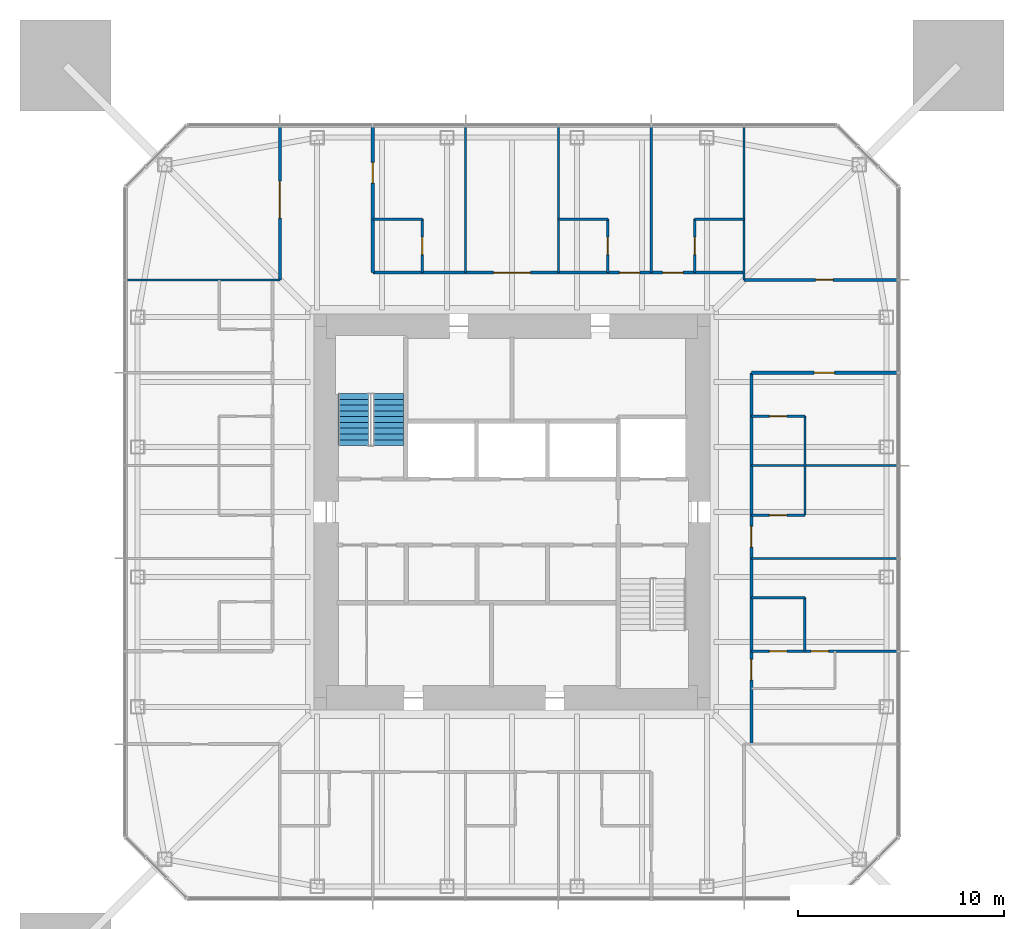
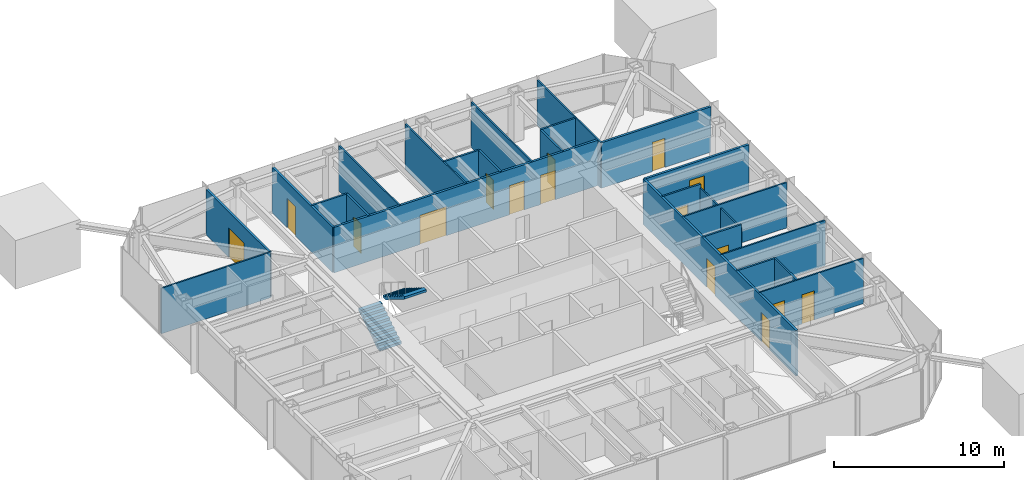
# One storey, part 8 of 12: 25 walls, 16 doors, 2 stair flights, 16 openings, 1 element without a shape of its own.
"""IFC4 building model written with IfcOpenShell, lengths in metres."""

from ifc_helpers import new_model, si_unit, direction, frame, frame_2d, origin, place, context, subcontext, project, spatial, polyline, rectangle, outline, extrude, material, layer, layer_set, constituent, constituent_set, type_object, element, fill, aggregate, save


model = new_model("IFC4")

# Units and contexts
model_context = context("Model", 3, precision=1e-05, world=origin(), true_north=direction((0.0, 1.0)))
body_context = subcontext(model_context, "Body", "Model", "MODEL_VIEW")
ifc_project = project(units=[si_unit("LENGTHUNIT", "METRE"), si_unit("AREAUNIT", "SQUARE_METRE"), si_unit("VOLUMEUNIT", "CUBIC_METRE"), si_unit("PLANEANGLEUNIT", "RADIAN"), si_unit("MASSUNIT", "GRAM", prefix="KILO")], contexts=[model_context])

# Site, building, storey
site_placement = place(None, origin())
site = spatial("IfcSite", under=ifc_project, at=site_placement, CompositionType="ELEMENT")
building_placement = place(site_placement, origin())
building = spatial("IfcBuilding", under=site, at=building_placement, Name="Iwan Alto Co-Living Towers", CompositionType="ELEMENT")
storey_placement = place(building_placement, frame((0.0, 0.0, 153.0)))
storey = spatial("IfcBuildingStorey", under=building, at=storey_placement, Name="L41", CompositionType="ELEMENT", Elevation=153.0)

# Wall, opening, door
ifc_material_1 = material(Name="Gypsum board")
ifc_layer_1 = layer(ifc_material_1, 0.02490234375, Name="Board", Category="Finish")
ifc_material_2 = material(Name="Steel ASTM A1003 ST33H cold-formed studs", Category="steel")
ifc_layer_2 = layer(ifc_material_2, 0.10009765625, Name="Studs", Category="Framing")
ifc_layer_3 = layer(ifc_material_1, 0.02490234375, Name="Board", Category="Finish")
ifc_layer_set_1 = layer_set([ifc_layer_1, ifc_layer_2, ifc_layer_3], Name="CORRIDOR WALL 150")
wall_type_1 = type_object("IfcWallType", Name="CORRIDOR WALL 150", PredefinedType="PARTITIONING", material=ifc_layer_set_1)
wall_1_placement = place(storey_placement, frame((11.60009765625, 6.75, 0.0), z_axis=(0.0, 0.0, 1.0), x_axis=(1.0, 0.0, 0.0)))
wall_1 = element("IfcWall", 1, at=wall_1_placement, inside=storey, type_object=wall_type_1, Name="Partition L41", PredefinedType="PARTITIONING", context=body_context, shape_type="SweptSolid", body=[
    extrude(rectangle(XDim=7.08984375, YDim=0.14990234375, at=frame_2d((3.544921875, 0.0))), origin(), (0.0, 0.0, 1.0), 3.27001953125),
])
opening_1_placement = place(wall_1_placement, frame((3.044921875, 0.0, 0.0)))
opening_1 = element("IfcOpeningElement", 2, at=opening_1_placement, cuts=wall_1, Name="Opening D3", PredefinedType="OPENING", context=body_context, shape_type="SweptSolid", body=[
    extrude(rectangle(XDim=1.0, YDim=2.10009765625, at=frame_2d((0.5, 1.050048828125))), frame((0.0, 0.0849609375, 0.0), z_axis=(0.0, -1.0, 0.0), x_axis=(1.0, 0.0, 0.0)), (0.0, 0.0, 1.0), 0.169921875),
])
ifc_material_3 = material(Name="Steel frame with timber leaf", Category="steel")
door_type_1 = type_object("IfcDoorType", Name="FLAT ENTRANCE DOOR FD30S 1000X2100", OperationType="SINGLE_SWING_LEFT", PredefinedType="DOOR", material=ifc_material_3)
door_1_placement = place(opening_1_placement, frame((1.0, 0.0, 0.0), z_axis=(0.0, 0.0, 1.0), x_axis=(-1.0, 0.0, 0.0)))
door_1 = element("IfcDoor", 3, at=door_1_placement, inside=storey, type_object=door_type_1, Name="Studio door L41", OperationType="SINGLE_SWING_RIGHT", OverallHeight=2.10009765625, OverallWidth=1.0, PredefinedType="DOOR", context=body_context, shape_type="SweptSolid", body=[
    extrude(rectangle(XDim=1.0, YDim=2.10009765625, at=frame_2d((0.5, 1.050048828125))), frame((0.0, 0.02490234375, 0.0), z_axis=(0.0, -1.0, 0.0), x_axis=(1.0, 0.0, 0.0)), (0.0, 0.0, 1.0), 0.050048828125),
])
fill(opening_1, door_1)

wall_2_placement = place(storey_placement, frame((11.25, 11.25, 0.0), z_axis=(0.0, 0.0, 1.0), x_axis=(1.0, 0.0, 0.0)))
wall_2 = element("IfcWall", 4, at=wall_2_placement, inside=storey, type_object=wall_type_1, Name="Partition L41", PredefinedType="PARTITIONING", context=body_context, shape_type="SweptSolid", body=[
    extrude(rectangle(XDim=7.43994140625, YDim=0.14990234375, at=frame_2d((3.719970703125, 0.0))), origin(), (0.0, 0.0, 1.0), 3.27001953125),
])
opening_2_placement = place(wall_2_placement, frame((3.469970703125, 0.0, 0.0)))
opening_2 = element("IfcOpeningElement", 5, at=opening_2_placement, cuts=wall_2, Name="Opening D2", PredefinedType="OPENING", context=body_context, shape_type="SweptSolid", body=[
    extrude(rectangle(XDim=0.85009765625, YDim=2.10009765625, at=frame_2d((0.425048828125, 1.050048828125))), frame((0.0, 0.0849609375, 0.0), z_axis=(0.0, -1.0, 0.0), x_axis=(1.0, 0.0, 0.0)), (0.0, 0.0, 1.0), 0.169921875),
])
ifc_material_4 = material(Name="Timber leaf in steel frame", Category="steel")
door_type_2 = type_object("IfcDoorType", Name="ROOM DOOR 850X2100", OperationType="SINGLE_SWING_LEFT", PredefinedType="DOOR", material=ifc_material_4)
door_2_placement = place(opening_2_placement, origin())
door_2 = element("IfcDoor", 6, at=door_2_placement, inside=storey, type_object=door_type_2, Name="Shared kitchen and lounge door L41", OperationType="SINGLE_SWING_RIGHT", OverallHeight=2.10009765625, OverallWidth=0.85009765625, PredefinedType="DOOR", context=body_context, shape_type="SweptSolid", body=[
    extrude(rectangle(XDim=0.85009765625, YDim=2.10009765625, at=frame_2d((0.425048828125, 1.050048828125))), frame((0.0, 0.02490234375, 0.0), z_axis=(0.0, -1.0, 0.0), x_axis=(1.0, 0.0, 0.0)), (0.0, 0.0, 1.0), 0.050048828125),
])
fill(opening_2, door_2)

# Wall, openings, doors
wall_3_placement = place(storey_placement, frame((-6.75, 11.60009765625, 0.0), z_axis=(0.0, 0.0, 1.0), x_axis=(1.0, 0.0, 0.0)))
wall_3 = element("IfcWall", 7, at=wall_3_placement, inside=storey, type_object=wall_type_1, Name="Partition L41", PredefinedType="PARTITIONING", context=body_context, shape_type="SweptSolid", body=[
    extrude(rectangle(XDim=18.0, YDim=0.14990234375, at=frame_2d((9.0, 0.0))), origin(), (0.0, 0.0, 1.0), 3.27001953125),
])
opening_3_placement = place(wall_3_placement, frame((14.050048828125, 0.0, 0.0)))
opening_3 = element("IfcOpeningElement", 8, at=opening_3_placement, cuts=wall_3, Name="Opening D3", PredefinedType="OPENING", context=body_context, shape_type="SweptSolid", body=[
    extrude(rectangle(XDim=1.0, YDim=2.10009765625, at=frame_2d((0.5, 1.050048828125))), frame((0.0, 0.0849609375, 0.0), z_axis=(0.0, -1.0, 0.0), x_axis=(1.0, 0.0, 0.0)), (0.0, 0.0, 1.0), 0.169921875),
])
opening_4_placement = place(wall_3_placement, frame((11.949951171875, 0.0, 0.0)))
opening_4 = element("IfcOpeningElement", 9, at=opening_4_placement, cuts=wall_3, Name="Opening D3", PredefinedType="OPENING", context=body_context, shape_type="SweptSolid", body=[
    extrude(rectangle(XDim=1.0, YDim=2.10009765625, at=frame_2d((0.5, 1.050048828125))), frame((0.0, 0.0849609375, 0.0), z_axis=(0.0, -1.0, 0.0), x_axis=(1.0, 0.0, 0.0)), (0.0, 0.0, 1.0), 0.169921875),
])
opening_5_placement = place(wall_3_placement, frame((5.85009765625, 0.0, 0.0)))
opening_5 = element("IfcOpeningElement", 10, at=opening_5_placement, cuts=wall_3, Name="Opening D9", PredefinedType="OPENING", context=body_context, shape_type="SweptSolid", body=[
    extrude(rectangle(XDim=1.800048828125, YDim=2.10009765625, at=frame_2d((0.89990234375, 1.050048828125))), frame((0.0, 0.0849609375, 0.0), z_axis=(0.0, -1.0, 0.0), x_axis=(1.0, 0.0, 0.0)), (0.0, 0.0, 1.0), 0.169921875),
])
door_3_placement = place(opening_3_placement, origin())
door_3 = element("IfcDoor", 11, at=door_3_placement, inside=storey, type_object=door_type_1, Name="Studio door L41", OperationType="SINGLE_SWING_LEFT", OverallHeight=2.10009765625, OverallWidth=1.0, PredefinedType="DOOR", context=body_context, shape_type="SweptSolid", body=[
    extrude(rectangle(XDim=1.0, YDim=2.10009765625, at=frame_2d((0.5, 1.050048828125))), frame((0.0, 0.02490234375, 0.0), z_axis=(0.0, -1.0, 0.0), x_axis=(1.0, 0.0, 0.0)), (0.0, 0.0, 1.0), 0.050048828125),
])
fill(opening_3, door_3)
door_4_placement = place(opening_4_placement, origin())
door_4 = element("IfcDoor", 12, at=door_4_placement, inside=storey, type_object=door_type_1, Name="Studio door L41", OperationType="SINGLE_SWING_LEFT", OverallHeight=2.10009765625, OverallWidth=1.0, PredefinedType="DOOR", context=body_context, shape_type="SweptSolid", body=[
    extrude(rectangle(XDim=1.0, YDim=2.10009765625, at=frame_2d((0.5, 1.050048828125))), frame((0.0, 0.02490234375, 0.0), z_axis=(0.0, -1.0, 0.0), x_axis=(1.0, 0.0, 0.0)), (0.0, 0.0, 1.0), 0.050048828125),
])
fill(opening_4, door_4)
ifc_material_5 = material(Name="Steel frame with timber leaf", Category="steel")
door_type_3 = type_object("IfcDoorType", Name="LOUNGE DOOR FD30S 1800X2100", OperationType="DOUBLE_DOOR_SINGLE_SWING", PredefinedType="DOOR", material=ifc_material_5)
door_5_placement = place(opening_5_placement, origin())
door_5 = element("IfcDoor", 13, at=door_5_placement, inside=storey, type_object=door_type_3, Name="Seminar room door L41", OperationType="DOUBLE_DOOR_SINGLE_SWING", OverallHeight=2.10009765625, OverallWidth=1.800048828125, PredefinedType="DOOR", context=body_context, shape_type="SweptSolid", body=[
    extrude(rectangle(XDim=1.800048828125, YDim=2.10009765625, at=frame_2d((0.89990234375, 1.050048828125))), frame((0.0, 0.02490234375, 0.0), z_axis=(0.0, -1.0, 0.0), x_axis=(1.0, 0.0, 0.0)), (0.0, 0.0, 1.0), 0.050048828125),
])
fill(opening_5, door_5)

wall_4_placement = place(storey_placement, frame((11.60009765625, -11.25, 0.0), z_axis=(0.0, 0.0, 1.0), x_axis=(0.0, 1.0, 0.0)))
wall_4 = element("IfcWall", 14, at=wall_4_placement, inside=storey, type_object=wall_type_1, Name="Partition L41", PredefinedType="PARTITIONING", context=body_context, shape_type="SweptSolid", body=[
    extrude(rectangle(XDim=18.0, YDim=0.14990234375, at=frame_2d((9.0, 0.0))), origin(), (0.0, 0.0, 1.0), 3.27001953125),
])
opening_6_placement = place(wall_4_placement, frame((3.10009765625, 0.0, 0.0)))
opening_6 = element("IfcOpeningElement", 15, at=opening_6_placement, cuts=wall_4, Name="Opening D3", PredefinedType="OPENING", context=body_context, shape_type="SweptSolid", body=[
    extrude(rectangle(XDim=1.0, YDim=2.10009765625, at=frame_2d((0.5, 1.050048828125))), frame((0.0, 0.0849609375, 0.0), z_axis=(0.0, -1.0, 0.0), x_axis=(1.0, 0.0, 0.0)), (0.0, 0.0, 1.0), 0.169921875),
])
opening_7_placement = place(wall_4_placement, frame((9.550048828125, 0.0, 0.0)))
opening_7 = element("IfcOpeningElement", 16, at=opening_7_placement, cuts=wall_4, Name="Opening D3", PredefinedType="OPENING", context=body_context, shape_type="SweptSolid", body=[
    extrude(rectangle(XDim=1.0, YDim=2.10009765625, at=frame_2d((0.5, 1.050048828125))), frame((0.0, 0.0849609375, 0.0), z_axis=(0.0, -1.0, 0.0), x_axis=(1.0, 0.0, 0.0)), (0.0, 0.0, 1.0), 0.169921875),
])
door_6_placement = place(opening_6_placement, frame((1.0, 0.0, 0.0), z_axis=(0.0, 0.0, 1.0), x_axis=(-1.0, 0.0, 0.0)))
door_6 = element("IfcDoor", 17, at=door_6_placement, inside=storey, type_object=door_type_1, Name="Apartment foyer door L41", OperationType="SINGLE_SWING_RIGHT", OverallHeight=2.10009765625, OverallWidth=1.0, PredefinedType="DOOR", context=body_context, shape_type="SweptSolid", body=[
    extrude(rectangle(XDim=1.0, YDim=2.10009765625, at=frame_2d((0.5, 1.050048828125))), frame((0.0, 0.02490234375, 0.0), z_axis=(0.0, -1.0, 0.0), x_axis=(1.0, 0.0, 0.0)), (0.0, 0.0, 1.0), 0.050048828125),
])
fill(opening_6, door_6)
door_7_placement = place(opening_7_placement, frame((1.0, 0.0, 0.0), z_axis=(0.0, 0.0, 1.0), x_axis=(-1.0, 0.0, 0.0)))
door_7 = element("IfcDoor", 18, at=door_7_placement, inside=storey, type_object=door_type_1, Name="Studio door L41", OperationType="SINGLE_SWING_RIGHT", OverallHeight=2.10009765625, OverallWidth=1.0, PredefinedType="DOOR", context=body_context, shape_type="SweptSolid", body=[
    extrude(rectangle(XDim=1.0, YDim=2.10009765625, at=frame_2d((0.5, 1.050048828125))), frame((0.0, 0.02490234375, 0.0), z_axis=(0.0, -1.0, 0.0), x_axis=(1.0, 0.0, 0.0)), (0.0, 0.0, 1.0), 0.050048828125),
])
fill(opening_7, door_7)

# Wall, opening, door
wall_5_placement = place(storey_placement, frame((-6.75, 11.60009765625, 0.0), z_axis=(0.0, 0.0, 1.0), x_axis=(0.0, 1.0, 0.0)))
wall_5 = element("IfcWall", 19, at=wall_5_placement, inside=storey, type_object=wall_type_1, Name="Partition L41", PredefinedType="PARTITIONING", context=body_context, shape_type="SweptSolid", body=[
    extrude(rectangle(XDim=7.08984375, YDim=0.14990234375, at=frame_2d((3.544921875, 0.0))), origin(), (0.0, 0.0, 1.0), 3.27001953125),
])
opening_8_placement = place(wall_5_placement, frame((4.344970703125, 0.0, 0.0)))
opening_8 = element("IfcOpeningElement", 20, at=opening_8_placement, cuts=wall_5, Name="Opening D3", PredefinedType="OPENING", context=body_context, shape_type="SweptSolid", body=[
    extrude(rectangle(XDim=1.0, YDim=2.10009765625, at=frame_2d((0.5, 1.050048828125))), frame((0.0, 0.0849609375, 0.0), z_axis=(0.0, -1.0, 0.0), x_axis=(1.0, 0.0, 0.0)), (0.0, 0.0, 1.0), 0.169921875),
])
door_8_placement = place(opening_8_placement, frame((1.0, 0.0, 0.0), z_axis=(0.0, 0.0, 1.0), x_axis=(-1.0, 0.0, 0.0)))
door_8 = element("IfcDoor", 21, at=door_8_placement, inside=storey, type_object=door_type_1, Name="Studio door L41", OperationType="SINGLE_SWING_RIGHT", OverallHeight=2.10009765625, OverallWidth=1.0, PredefinedType="DOOR", context=body_context, shape_type="SweptSolid", body=[
    extrude(rectangle(XDim=1.0, YDim=2.10009765625, at=frame_2d((0.5, 1.050048828125))), frame((0.0, 0.02490234375, 0.0), z_axis=(0.0, -1.0, 0.0), x_axis=(1.0, 0.0, 0.0)), (0.0, 0.0, 1.0), 0.050048828125),
])
fill(opening_8, door_8)

wall_6_placement = place(storey_placement, frame((-11.25, 11.25, 0.0), z_axis=(0.0, 0.0, 1.0), x_axis=(0.0, 1.0, 0.0)))
wall_6 = element("IfcWall", 22, at=wall_6_placement, inside=storey, type_object=wall_type_1, Name="Partition L41", PredefinedType="PARTITIONING", context=body_context, shape_type="SweptSolid", body=[
    extrude(rectangle(XDim=7.43994140625, YDim=0.14990234375, at=frame_2d((3.719970703125, 0.0))), origin(), (0.0, 0.0, 1.0), 3.27001953125),
])
opening_9_placement = place(wall_6_placement, frame((2.9951171875, 0.0, 0.0)))
opening_9 = element("IfcOpeningElement", 23, at=opening_9_placement, cuts=wall_6, Name="Opening D9", PredefinedType="OPENING", context=body_context, shape_type="SweptSolid", body=[
    extrude(rectangle(XDim=1.800048828125, YDim=2.10009765625, at=frame_2d((0.89990234375, 1.050048828125))), frame((0.0, 0.0849609375, 0.0), z_axis=(0.0, -1.0, 0.0), x_axis=(1.0, 0.0, 0.0)), (0.0, 0.0, 1.0), 0.169921875),
])
door_9_placement = place(opening_9_placement, origin())
door_9 = element("IfcDoor", 24, at=door_9_placement, inside=storey, type_object=door_type_3, Name="Courtyard lounge door L41", OperationType="DOUBLE_DOOR_SINGLE_SWING", OverallHeight=2.10009765625, OverallWidth=1.800048828125, PredefinedType="DOOR", context=body_context, shape_type="SweptSolid", body=[
    extrude(rectangle(XDim=1.800048828125, YDim=2.10009765625, at=frame_2d((0.89990234375, 1.050048828125))), frame((0.0, 0.02490234375, 0.0), z_axis=(0.0, -1.0, 0.0), x_axis=(1.0, 0.0, 0.0)), (0.0, 0.0, 1.0), 0.050048828125),
])
fill(opening_9, door_9)

# Wall, openings, doors
ifc_layer_4 = layer(ifc_material_1, 0.012451171875, Name="Board", Category="Finish")
ifc_layer_5 = layer(ifc_material_2, 0.074951171875, Name="Studs", Category="Framing")
ifc_layer_6 = layer(ifc_material_1, 0.012451171875, Name="Board", Category="Finish")
ifc_layer_set_2 = layer_set([ifc_layer_4, ifc_layer_5, ifc_layer_6], Name="PARTITION 100")
wall_type_2 = type_object("IfcWallType", Name="PARTITION 100", PredefinedType="PARTITIONING", material=ifc_layer_set_2)
wall_7_placement = place(storey_placement, frame((11.60009765625, -6.75, 0.0), z_axis=(0.0, 0.0, 1.0), x_axis=(1.0, 0.0, 0.0)))
wall_7 = element("IfcWall", 25, at=wall_7_placement, inside=storey, type_object=wall_type_2, Name="Partition L41", PredefinedType="PARTITIONING", context=body_context, shape_type="SweptSolid", body=[
    extrude(rectangle(XDim=7.08984375, YDim=0.10009765625, at=frame_2d((3.544921875, 0.0))), origin(), (0.0, 0.0, 1.0), 3.27001953125),
])
opening_10_placement = place(wall_7_placement, frame((2.89990234375, 0.0, 0.0)))
opening_10 = element("IfcOpeningElement", 26, at=opening_10_placement, cuts=wall_7, Name="Opening D2", PredefinedType="OPENING", context=body_context, shape_type="SweptSolid", body=[
    extrude(rectangle(XDim=0.85009765625, YDim=2.10009765625, at=frame_2d((0.425048828125, 1.050048828125))), frame((0.0, 0.06005859375, 0.0), z_axis=(0.0, -1.0, 0.0), x_axis=(1.0, 0.0, 0.0)), (0.0, 0.0, 1.0), 0.1201171875),
])
opening_11_placement = place(wall_7_placement, frame((0.875, 0.0, 0.0)))
opening_11 = element("IfcOpeningElement", 27, at=opening_11_placement, cuts=wall_7, Name="Opening D2", PredefinedType="OPENING", context=body_context, shape_type="SweptSolid", body=[
    extrude(rectangle(XDim=0.85009765625, YDim=2.10009765625, at=frame_2d((0.425048828125, 1.050048828125))), frame((0.0, 0.06005859375, 0.0), z_axis=(0.0, -1.0, 0.0), x_axis=(1.0, 0.0, 0.0)), (0.0, 0.0, 1.0), 0.1201171875),
])
door_10_placement = place(opening_10_placement, origin())
door_10 = element("IfcDoor", 28, at=door_10_placement, inside=storey, type_object=door_type_2, Name="Bedroom door L41", OperationType="SINGLE_SWING_LEFT", OverallHeight=2.10009765625, OverallWidth=0.85009765625, PredefinedType="DOOR", context=body_context, shape_type="SweptSolid", body=[
    extrude(rectangle(XDim=0.85009765625, YDim=2.10009765625, at=frame_2d((0.425048828125, 1.050048828125))), frame((0.0, 0.02490234375, 0.0), z_axis=(0.0, -1.0, 0.0), x_axis=(1.0, 0.0, 0.0)), (0.0, 0.0, 1.0), 0.050048828125),
])
fill(opening_10, door_10)
door_11_placement = place(opening_11_placement, origin())
door_11 = element("IfcDoor", 29, at=door_11_placement, inside=storey, type_object=door_type_2, Name="Accessible bathroom door L41", OperationType="SINGLE_SWING_LEFT", OverallHeight=2.10009765625, OverallWidth=0.85009765625, PredefinedType="DOOR", context=body_context, shape_type="SweptSolid", body=[
    extrude(rectangle(XDim=0.85009765625, YDim=2.10009765625, at=frame_2d((0.425048828125, 1.050048828125))), frame((0.0, 0.02490234375, 0.0), z_axis=(0.0, -1.0, 0.0), x_axis=(1.0, 0.0, 0.0)), (0.0, 0.0, 1.0), 0.050048828125),
])
fill(opening_11, door_11)

# Walls
for number, where, z_axis, x_axis, name in (
    (30, (11.60009765625, -2.25, 0.0), (0.0, 0.0, 1.0), (1.0, 0.0, 0.0), "Partition L41"),
    (31, (11.60009765625, 2.25, 0.0), (0.0, 0.0, 1.0), (1.0, 0.0, 0.0), "Partition L41"),
):
    element("IfcWall", number, at=place(storey_placement, frame(where, z_axis=z_axis, x_axis=x_axis)), inside=storey, type_object=wall_type_2, Name=name, PredefinedType="PARTITIONING", context=body_context, shape_type="SweptSolid", body=[
        extrude(rectangle(XDim=7.08984375, YDim=0.10009765625, at=frame_2d((3.544921875, 0.0))), origin(), (0.0, 0.0, 1.0), 3.27001953125),
    ])
wall_8_placement = place(storey_placement, frame((-18.68994140625, 11.25, 0.0), z_axis=(0.0, 0.0, 1.0), x_axis=(1.0, 0.0, 0.0)))
element("IfcWall", 32, at=wall_8_placement, inside=storey, type_object=wall_type_2, Name="Partition L41", PredefinedType="PARTITIONING", context=body_context, shape_type="SweptSolid", body=[
    extrude(rectangle(XDim=7.43994140625, YDim=0.10009765625, at=frame_2d((3.719970703125, 0.0))), origin(), (0.0, 0.0, 1.0), 3.27001953125),
])
wall_9_placement = place(storey_placement, frame((14.199951171875, -0.14990234375, 0.0), z_axis=(0.0, 0.0, 1.0), x_axis=(0.0, 1.0, 0.0)))
element("IfcWall", 33, at=wall_9_placement, inside=storey, type_object=wall_type_2, Name="Partition L41", PredefinedType="PARTITIONING", context=body_context, shape_type="SweptSolid", body=[
    extrude(rectangle(XDim=4.7998046875, YDim=0.10009765625, at=frame_2d((2.39990234375, 0.0))), origin(), (0.0, 0.0, 1.0), 3.0),
])
wall_10_placement = place(storey_placement, frame((11.25, 11.25, 0.0), z_axis=(0.0, 0.0, 1.0), x_axis=(0.0, 1.0, 0.0)))
element("IfcWall", 34, at=wall_10_placement, inside=storey, type_object=wall_type_2, Name="Partition L41", PredefinedType="PARTITIONING", context=body_context, shape_type="SweptSolid", body=[
    extrude(rectangle(XDim=7.43994140625, YDim=0.10009765625, at=frame_2d((3.719970703125, 0.0))), origin(), (0.0, 0.0, 1.0), 3.27001953125),
])
for number, where, z_axis, x_axis, name in (
    (35, (6.75, 11.60009765625, 0.0), (0.0, 0.0, 1.0), (0.0, 1.0, 0.0), "Partition L41"),
    (36, (2.25, 11.60009765625, 0.0), (0.0, 0.0, 1.0), (0.0, 1.0, 0.0), "Partition L41"),
    (37, (-2.25, 11.60009765625, 0.0), (0.0, 0.0, 1.0), (0.0, 1.0, 0.0), "Partition L41"),
):
    element("IfcWall", number, at=place(storey_placement, frame(where, z_axis=z_axis, x_axis=x_axis)), inside=storey, type_object=wall_type_2, Name=name, PredefinedType="PARTITIONING", context=body_context, shape_type="SweptSolid", body=[
        extrude(rectangle(XDim=7.08984375, YDim=0.10009765625, at=frame_2d((3.544921875, 0.0))), origin(), (0.0, 0.0, 1.0), 3.27001953125),
    ])
ifc_material_6 = material(Name="Cement board")
ifc_layer_7 = layer(ifc_material_6, 0.012451171875, Name="Board", Category="Finish")
ifc_layer_8 = layer(ifc_material_2, 0.094970703125, Name="Studs", Category="Framing")
ifc_layer_9 = layer(ifc_material_6, 0.012451171875, Name="Board", Category="Finish")
ifc_layer_set_3 = layer_set([ifc_layer_7, ifc_layer_8, ifc_layer_9], Name="WET AREA PARTITION 120")
wall_type_3 = type_object("IfcWallType", Name="WET AREA PARTITION 120", PredefinedType="PARTITIONING", material=ifc_layer_set_3)
wall_11_placement = place(storey_placement, frame((11.60009765625, -4.14990234375, 0.0), z_axis=(0.0, 0.0, 1.0), x_axis=(1.0, 0.0, 0.0)))
element("IfcWall", 38, at=wall_11_placement, inside=storey, type_object=wall_type_3, Name="Partition L41", PredefinedType="PARTITIONING", context=body_context, shape_type="SweptSolid", body=[
    extrude(rectangle(XDim=2.599853515625, YDim=0.1201171875, at=frame_2d((1.2998046875, 0.0))), origin(), (0.0, 0.0, 1.0), 3.27001953125),
])

# Wall, opening, door
wall_12_placement = place(storey_placement, frame((11.60009765625, -0.14990234375, 0.0), z_axis=(0.0, 0.0, 1.0), x_axis=(1.0, 0.0, 0.0)))
wall_12 = element("IfcWall", 39, at=wall_12_placement, inside=storey, type_object=wall_type_3, Name="Partition L41", PredefinedType="PARTITIONING", context=body_context, shape_type="SweptSolid", body=[
    extrude(rectangle(XDim=2.599853515625, YDim=0.1201171875, at=frame_2d((1.2998046875, 0.0))), origin(), (0.0, 0.0, 1.0), 3.27001953125),
])
opening_12_placement = place(wall_12_placement, frame((0.875, 0.0, 0.0)))
opening_12 = element("IfcOpeningElement", 40, at=opening_12_placement, cuts=wall_12, Name="Opening D2", PredefinedType="OPENING", context=body_context, shape_type="SweptSolid", body=[
    extrude(rectangle(XDim=0.85009765625, YDim=2.10009765625, at=frame_2d((0.425048828125, 1.050048828125))), frame((0.0, 0.070068359375, 0.0), z_axis=(0.0, -1.0, 0.0), x_axis=(1.0, 0.0, 0.0)), (0.0, 0.0, 1.0), 0.14013671875),
])
door_12_placement = place(opening_12_placement, frame((0.85009765625, 0.0, 0.0), z_axis=(0.0, 0.0, 1.0), x_axis=(-1.0, 0.0, 0.0)))
door_12 = element("IfcDoor", 41, at=door_12_placement, inside=storey, type_object=door_type_2, Name="En-suite shower room door L41", OperationType="SINGLE_SWING_RIGHT", OverallHeight=2.10009765625, OverallWidth=0.85009765625, PredefinedType="DOOR", context=body_context, shape_type="SweptSolid", body=[
    extrude(rectangle(XDim=0.85009765625, YDim=2.10009765625, at=frame_2d((0.425048828125, 1.050048828125))), frame((0.0, 0.02490234375, 0.0), z_axis=(0.0, -1.0, 0.0), x_axis=(1.0, 0.0, 0.0)), (0.0, 0.0, 1.0), 0.050048828125),
])
fill(opening_12, door_12)

wall_13_placement = place(storey_placement, frame((11.60009765625, 4.64990234375, 0.0), z_axis=(0.0, 0.0, 1.0), x_axis=(1.0, 0.0, 0.0)))
wall_13 = element("IfcWall", 42, at=wall_13_placement, inside=storey, type_object=wall_type_3, Name="Partition L41", PredefinedType="PARTITIONING", context=body_context, shape_type="SweptSolid", body=[
    extrude(rectangle(XDim=2.599853515625, YDim=0.1201171875, at=frame_2d((1.2998046875, 0.0))), origin(), (0.0, 0.0, 1.0), 3.27001953125),
])
opening_13_placement = place(wall_13_placement, frame((0.875, 0.0, 0.0)))
opening_13 = element("IfcOpeningElement", 43, at=opening_13_placement, cuts=wall_13, Name="Opening D2", PredefinedType="OPENING", context=body_context, shape_type="SweptSolid", body=[
    extrude(rectangle(XDim=0.85009765625, YDim=2.10009765625, at=frame_2d((0.425048828125, 1.050048828125))), frame((0.0, 0.070068359375, 0.0), z_axis=(0.0, -1.0, 0.0), x_axis=(1.0, 0.0, 0.0)), (0.0, 0.0, 1.0), 0.14013671875),
])
door_13_placement = place(opening_13_placement, origin())
door_13 = element("IfcDoor", 44, at=door_13_placement, inside=storey, type_object=door_type_2, Name="En-suite shower room door L41", OperationType="SINGLE_SWING_LEFT", OverallHeight=2.10009765625, OverallWidth=0.85009765625, PredefinedType="DOOR", context=body_context, shape_type="SweptSolid", body=[
    extrude(rectangle(XDim=0.85009765625, YDim=2.10009765625, at=frame_2d((0.425048828125, 1.050048828125))), frame((0.0, 0.02490234375, 0.0), z_axis=(0.0, -1.0, 0.0), x_axis=(1.0, 0.0, 0.0)), (0.0, 0.0, 1.0), 0.050048828125),
])
fill(opening_13, door_13)

# Walls
for number, where, z_axis, x_axis, name in (
    (45, (-6.75, 14.199951171875, 0.0), (0.0, 0.0, 1.0), (1.0, 0.0, 0.0), "Partition L41"),
    (46, (2.25, 14.199951171875, 0.0), (0.0, 0.0, 1.0), (1.0, 0.0, 0.0), "Partition L41"),
    (47, (8.85009765625, 14.199951171875, 0.0), (0.0, 0.0, 1.0), (1.0, 0.0, 0.0), "Partition L41"),
):
    element("IfcWall", number, at=place(storey_placement, frame(where, z_axis=z_axis, x_axis=x_axis)), inside=storey, type_object=wall_type_3, Name=name, PredefinedType="PARTITIONING", context=body_context, shape_type="SweptSolid", body=[
        extrude(rectangle(XDim=2.39990234375, YDim=0.1201171875, at=frame_2d((1.199951171875, 0.0))), origin(), (0.0, 0.0, 1.0), 3.27001953125),
    ])
wall_14_placement = place(storey_placement, frame((14.199951171875, -6.75, 0.0), z_axis=(0.0, 0.0, 1.0), x_axis=(0.0, 1.0, 0.0)))
element("IfcWall", 48, at=wall_14_placement, inside=storey, type_object=wall_type_3, Name="Partition L41", PredefinedType="PARTITIONING", context=body_context, shape_type="SweptSolid", body=[
    extrude(rectangle(XDim=2.60009765625, YDim=0.1201171875, at=frame_2d((1.300048828125, 0.0))), origin(), (0.0, 0.0, 1.0), 3.27001953125),
])

# Wall, opening, door
wall_15_placement = place(storey_placement, frame((8.85009765625, 11.60009765625, 0.0), z_axis=(0.0, 0.0, 1.0), x_axis=(0.0, 1.0, 0.0)))
wall_15 = element("IfcWall", 49, at=wall_15_placement, inside=storey, type_object=wall_type_3, Name="Partition L41", PredefinedType="PARTITIONING", context=body_context, shape_type="SweptSolid", body=[
    extrude(rectangle(XDim=2.599853515625, YDim=0.1201171875, at=frame_2d((1.2998046875, 0.0))), origin(), (0.0, 0.0, 1.0), 3.27001953125),
])
opening_14_placement = place(wall_15_placement, frame((0.875, 0.0, 0.0)))
opening_14 = element("IfcOpeningElement", 50, at=opening_14_placement, cuts=wall_15, Name="Opening D2", PredefinedType="OPENING", context=body_context, shape_type="SweptSolid", body=[
    extrude(rectangle(XDim=0.85009765625, YDim=2.10009765625, at=frame_2d((0.425048828125, 1.050048828125))), frame((0.0, 0.070068359375, 0.0), z_axis=(0.0, -1.0, 0.0), x_axis=(1.0, 0.0, 0.0)), (0.0, 0.0, 1.0), 0.14013671875),
])
door_14_placement = place(opening_14_placement, origin())
door_14 = element("IfcDoor", 51, at=door_14_placement, inside=storey, type_object=door_type_2, Name="En-suite shower room door L41", OperationType="SINGLE_SWING_LEFT", OverallHeight=2.10009765625, OverallWidth=0.85009765625, PredefinedType="DOOR", context=body_context, shape_type="SweptSolid", body=[
    extrude(rectangle(XDim=0.85009765625, YDim=2.10009765625, at=frame_2d((0.425048828125, 1.050048828125))), frame((0.0, 0.02490234375, 0.0), z_axis=(0.0, -1.0, 0.0), x_axis=(1.0, 0.0, 0.0)), (0.0, 0.0, 1.0), 0.050048828125),
])
fill(opening_14, door_14)

wall_16_placement = place(storey_placement, frame((4.64990234375, 11.60009765625, 0.0), z_axis=(0.0, 0.0, 1.0), x_axis=(0.0, 1.0, 0.0)))
wall_16 = element("IfcWall", 52, at=wall_16_placement, inside=storey, type_object=wall_type_3, Name="Partition L41", PredefinedType="PARTITIONING", context=body_context, shape_type="SweptSolid", body=[
    extrude(rectangle(XDim=2.599853515625, YDim=0.1201171875, at=frame_2d((1.2998046875, 0.0))), origin(), (0.0, 0.0, 1.0), 3.27001953125),
])
opening_15_placement = place(wall_16_placement, frame((0.875, 0.0, 0.0)))
opening_15 = element("IfcOpeningElement", 53, at=opening_15_placement, cuts=wall_16, Name="Opening D2", PredefinedType="OPENING", context=body_context, shape_type="SweptSolid", body=[
    extrude(rectangle(XDim=0.85009765625, YDim=2.10009765625, at=frame_2d((0.425048828125, 1.050048828125))), frame((0.0, 0.070068359375, 0.0), z_axis=(0.0, -1.0, 0.0), x_axis=(1.0, 0.0, 0.0)), (0.0, 0.0, 1.0), 0.14013671875),
])
door_15_placement = place(opening_15_placement, frame((0.85009765625, 0.0, 0.0), z_axis=(0.0, 0.0, 1.0), x_axis=(-1.0, 0.0, 0.0)))
door_15 = element("IfcDoor", 54, at=door_15_placement, inside=storey, type_object=door_type_2, Name="En-suite shower room door L41", OperationType="SINGLE_SWING_RIGHT", OverallHeight=2.10009765625, OverallWidth=0.85009765625, PredefinedType="DOOR", context=body_context, shape_type="SweptSolid", body=[
    extrude(rectangle(XDim=0.85009765625, YDim=2.10009765625, at=frame_2d((0.425048828125, 1.050048828125))), frame((0.0, 0.02490234375, 0.0), z_axis=(0.0, -1.0, 0.0), x_axis=(1.0, 0.0, 0.0)), (0.0, 0.0, 1.0), 0.050048828125),
])
fill(opening_15, door_15)

wall_17_placement = place(storey_placement, frame((-4.35009765625, 11.60009765625, 0.0), z_axis=(0.0, 0.0, 1.0), x_axis=(0.0, 1.0, 0.0)))
wall_17 = element("IfcWall", 55, at=wall_17_placement, inside=storey, type_object=wall_type_3, Name="Partition L41", PredefinedType="PARTITIONING", context=body_context, shape_type="SweptSolid", body=[
    extrude(rectangle(XDim=2.599853515625, YDim=0.1201171875, at=frame_2d((1.2998046875, 0.0))), origin(), (0.0, 0.0, 1.0), 3.27001953125),
])
opening_16_placement = place(wall_17_placement, frame((0.875, 0.0, 0.0)))
opening_16 = element("IfcOpeningElement", 56, at=opening_16_placement, cuts=wall_17, Name="Opening D2", PredefinedType="OPENING", context=body_context, shape_type="SweptSolid", body=[
    extrude(rectangle(XDim=0.85009765625, YDim=2.10009765625, at=frame_2d((0.425048828125, 1.050048828125))), frame((0.0, 0.070068359375, 0.0), z_axis=(0.0, -1.0, 0.0), x_axis=(1.0, 0.0, 0.0)), (0.0, 0.0, 1.0), 0.14013671875),
])
door_16_placement = place(opening_16_placement, frame((0.85009765625, 0.0, 0.0), z_axis=(0.0, 0.0, 1.0), x_axis=(-1.0, 0.0, 0.0)))
door_16 = element("IfcDoor", 57, at=door_16_placement, inside=storey, type_object=door_type_2, Name="En-suite shower room door L41", OperationType="SINGLE_SWING_RIGHT", OverallHeight=2.10009765625, OverallWidth=0.85009765625, PredefinedType="DOOR", context=body_context, shape_type="SweptSolid", body=[
    extrude(rectangle(XDim=0.85009765625, YDim=2.10009765625, at=frame_2d((0.425048828125, 1.050048828125))), frame((0.0, 0.02490234375, 0.0), z_axis=(0.0, -1.0, 0.0), x_axis=(1.0, 0.0, 0.0)), (0.0, 0.0, 1.0), 0.050048828125),
])
fill(opening_16, door_16)

# Stair, stair flights
ifc_material_7 = material(Name="Steel ASTM A36", Category="steel")
ifc_constituent_1 = constituent(ifc_material_7, Name="Stringers", Category="LoadBearing")
ifc_material_8 = material(Name="Concrete f'c 30 MPa", Category="concrete")
ifc_constituent_2 = constituent(ifc_material_8, Name="Tread fill", Category="Finish")
ifc_constituent_set_1 = constituent_set(constituents=[ifc_constituent_1, ifc_constituent_2], Name="STAIR 3500 TWO-FLIGHT T1 CORE")
stair_type = type_object("IfcStairType", Name="STAIR 3500 TWO-FLIGHT T1 CORE", PredefinedType="HALF_TURN_STAIR", material=ifc_constituent_set_1)
stair_placement = place(storey_placement, origin())
stair = element("IfcStair", 58, at=stair_placement, inside=storey, type_object=stair_type, Name="Stair T1-S1 L41 to L42", PredefinedType="HALF_TURN_STAIR")
ifc_constituent_3 = constituent(ifc_material_7, Name="Stringers", Category="LoadBearing")
ifc_constituent_4 = constituent(ifc_material_8, Name="Tread fill", Category="Finish")
ifc_constituent_set_2 = constituent_set(constituents=[ifc_constituent_3, ifc_constituent_4], Name="STAIR FLIGHT 10 RISERS 280 GOING")
stair_flight_type = type_object("IfcStairFlightType", Name="STAIR FLIGHT 10 RISERS 280 GOING", PredefinedType="STRAIGHT", material=ifc_constituent_set_2)
stair_flight_1_placement = place(storey_placement, frame((-7.68994140625, 3.219970703125, 0.0), z_axis=(0.0, 0.0, 1.0), x_axis=(0.0, 1.0, 0.0)))
stair_flight_1 = element("IfcStairFlight", 59, at=stair_flight_1_placement, type_object=stair_flight_type, Name="T1-S1 flight 1", NumberOfRisers=10, NumberOfTreads=9, PredefinedType="STRAIGHT", RiserHeight=0.175, TreadLength=0.28, context=body_context, shape_type="SweptSolid", body=[
    extrude(outline(polyline([(0.0, 0.0), (0.0, 0.175048828125), (0.280029296875, 0.175048828125), (0.280029296875, 0.35009765625), (0.56005859375, 0.35009765625), (0.56005859375, 0.52490234375), (0.840087890625, 0.52490234375), (0.840087890625, 0.699951171875), (1.1201171875, 0.699951171875), (1.1201171875, 0.875), (1.39990234375, 0.875), (1.39990234375, 1.050048828125), (1.679931640625, 1.050048828125), (1.679931640625, 1.22509765625), (1.9599609375, 1.22509765625), (1.9599609375, 1.39990234375), (2.239990234375, 1.39990234375), (2.239990234375, 1.574951171875), (2.52001953125, 1.574951171875), (2.52001953125, 1.75), (2.52001953125, 1.398193359375), (0.28271484375, 0.0), (0.0, 0.0)])), frame((0.0, 0.739990234375, 0.0), z_axis=(0.0, -1.0, 0.0), x_axis=(1.0, 0.0, 0.0)), (0.0, 0.0, 1.0), 1.47998046875),
])
stair_flight_2_placement = place(storey_placement, frame((-6.010009765625, 5.739990234375, 1.75), z_axis=(0.0, 0.0, 1.0), x_axis=(0.0, -1.0, 0.0)))
stair_flight_2 = element("IfcStairFlight", 60, at=stair_flight_2_placement, type_object=stair_flight_type, Name="T1-S1 flight 2", NumberOfRisers=10, NumberOfTreads=9, PredefinedType="STRAIGHT", RiserHeight=0.175, TreadLength=0.28, context=body_context, shape_type="SweptSolid", body=[
    extrude(outline(polyline([(0.0, 0.0), (0.0, 0.175048828125), (0.280029296875, 0.175048828125), (0.280029296875, 0.35009765625), (0.56005859375, 0.35009765625), (0.56005859375, 0.52490234375), (0.840087890625, 0.52490234375), (0.840087890625, 0.699951171875), (1.1201171875, 0.699951171875), (1.1201171875, 0.875), (1.39990234375, 0.875), (1.39990234375, 1.050048828125), (1.679931640625, 1.050048828125), (1.679931640625, 1.22509765625), (1.9599609375, 1.22509765625), (1.9599609375, 1.39990234375), (2.239990234375, 1.39990234375), (2.239990234375, 1.574951171875), (2.52001953125, 1.574951171875), (2.52001953125, 1.75), (2.52001953125, 1.398193359375), (0.28271484375, 0.0), (0.0, 0.0)])), frame((0.0, 0.739990234375, 0.0), z_axis=(0.0, -1.0, 0.0), x_axis=(1.0, 0.0, 0.0)), (0.0, 0.0, 1.0), 1.47998046875),
])
aggregate(stair, [stair_flight_1, stair_flight_2])

save(model, "model.ifc")
